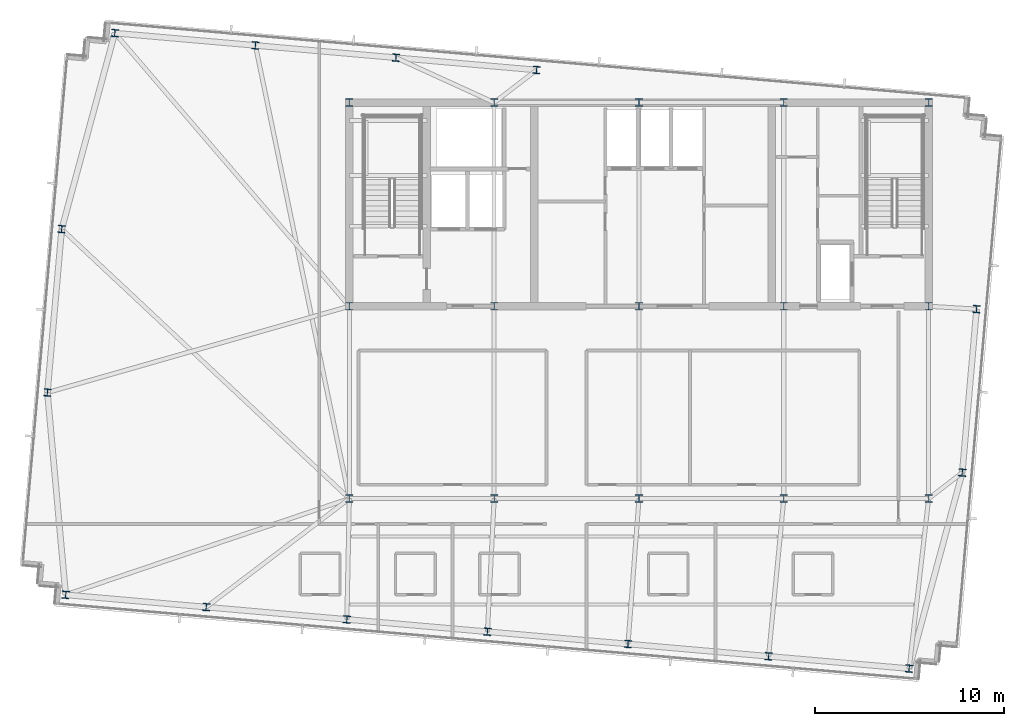
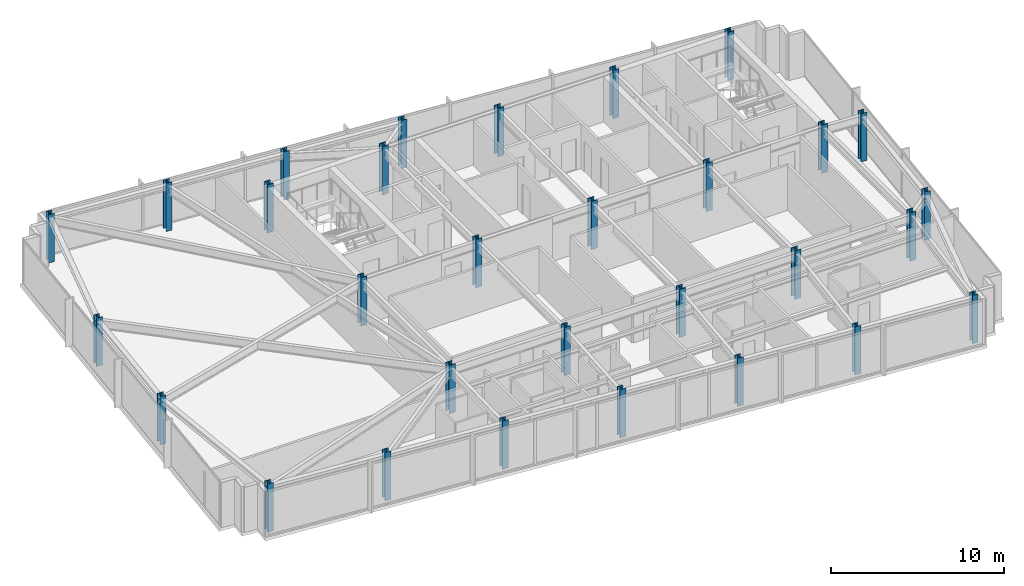
# One storey, part 1 of 33: 30 columns.
"""IFC4 building model written with IfcOpenShell, lengths in metres."""

import ifcopenshell
import ifcopenshell.guid

model = None  # the IFC model being written
_history = None  # IfcOwnerHistory: only IFC2X3 demands one
_inside = {}  # id of a spatial element -> (the spatial element, [elements in it])
_under = {}  # id of a project, library or spatial element -> (it, [spatial elements below it])
_declared = {}  # id of a project -> (the project, [libraries it declares])
_typed = {}  # id of a type object -> (the type object, [elements of that type])
_made_of = {}  # id of a material, layer set ... -> (it, [elements and type objects made of it])


def new_model(schema):
    """Start an empty IFC model of exactly this schema.

    Asked for "IFC4X3", IfcOpenShell would pick the latest addendum, in which some entities
    have other attributes; the version numbers below select the first issue.
    IFC2X3 requires an IfcOwnerHistory on every rooted entity: one is made here for all.
    """
    global model, _history
    if schema == "IFC4X3":
        model = ifcopenshell.file(schema_version=(4, 3, 0, 0))
    else:
        model = ifcopenshell.file(schema=schema)
    _inside.clear()
    _under.clear()
    _declared.clear()
    _typed.clear()
    _made_of.clear()
    _history = None
    if model.schema == "IFC2X3":
        org = make("IfcOrganization", Name="unknown")
        user = make(
            "IfcPersonAndOrganization",
            ThePerson=make("IfcPerson", FamilyName="unknown"),
            TheOrganization=org,
        )
        app = make(
            "IfcApplication",
            ApplicationDeveloper=org,
            Version="unknown",
            ApplicationFullName="unknown",
            ApplicationIdentifier="unknown",
        )
        _history = make(
            "IfcOwnerHistory",
            OwningUser=user,
            OwningApplication=app,
            ChangeAction="ADDED",
            CreationDate=0,
        )
    return model


def make(cls, **values):
    """One entity of the class cls with the attributes given. An attribute that is None is left unset."""
    return model.create_entity(
        cls, **{name: value for name, value in values.items() if value is not None}
    )


def rooted(cls, **values):
    """An entity with a GlobalId (a new one), such as an element, a storey or a relation."""
    return make(cls, GlobalId=ifcopenshell.guid.new(), OwnerHistory=_history, **values)


def si_unit(unit_type, name, prefix=None):
    """IfcSIUnit, for example si_unit("LENGTHUNIT", "METRE", prefix="MILLI")."""
    return make("IfcSIUnit", UnitType=unit_type, Prefix=prefix, Name=name)


def assignment(units):
    """IfcUnitAssignment: the units of a project."""
    return None if units is None else make("IfcUnitAssignment", Units=units)


def point(xyz):
    """IfcCartesianPoint."""
    return None if xyz is None else make("IfcCartesianPoint", Coordinates=xyz)


def direction(xyz):
    """IfcDirection."""
    return None if xyz is None else make("IfcDirection", DirectionRatios=xyz)


def frame(location, z_axis=None, x_axis=None):
    """IfcAxis2Placement3D, a coordinate frame: its origin and axes. An axis left out is left unset."""
    return make(
        "IfcAxis2Placement3D",
        Location=point(location),
        Axis=direction(z_axis),
        RefDirection=direction(x_axis),
    )


def frame_2d(location, x_axis=None):
    """IfcAxis2Placement2D, a coordinate frame in the plane: its origin and x axis."""
    return make(
        "IfcAxis2Placement2D", Location=point(location), RefDirection=direction(x_axis)
    )


def origin():
    """The frame at (0, 0, 0) with its axes left unset."""
    return frame((0.0, 0.0, 0.0))


def origin_2d():
    """The frame at (0, 0) in the plane with its x axis left unset."""
    return frame_2d((0.0, 0.0))


def place(relative_to, where):
    """IfcLocalPlacement: puts the frame where relative to a parent placement (None: the world)."""
    return make(
        "IfcLocalPlacement", PlacementRelTo=relative_to, RelativePlacement=where
    )


def context(
    kind, dimensions, precision=None, world=None, true_north=None, identifier=None
):
    """IfcGeometricRepresentationContext, for example the 3D "Model" context."""
    return make(
        "IfcGeometricRepresentationContext",
        ContextIdentifier=identifier,
        ContextType=kind,
        CoordinateSpaceDimension=dimensions,
        Precision=precision,
        WorldCoordinateSystem=world,
        TrueNorth=true_north,
    )


def subcontext(parent, identifier, kind, view, scale=None):
    """IfcGeometricRepresentationSubContext, for example "Body" below "Model"."""
    return make(
        "IfcGeometricRepresentationSubContext",
        ContextIdentifier=identifier,
        ContextType=kind,
        ParentContext=parent,
        TargetScale=scale,
        TargetView=view,
    )


def project(units=None, contexts=None):
    """IfcProject with its units and contexts."""
    return rooted(
        "IfcProject",
        Name="project",
        RepresentationContexts=contexts,
        UnitsInContext=assignment(units),
    )


def spatial(cls, under=None, at=None, **own):
    """A site, building, storey or space (cls), placed at a placement, below another one or the project."""
    s = rooted(cls, ObjectPlacement=at, **own)
    if under is not None:
        _under.setdefault(under.id(), (under, []))[1].append(s)
    return s


def profile(cls, at=None, kind="AREA", **sizes):
    """A parametric profile (cls). Its sizes go by their IFC names, for example OverallWidth=200.0."""
    return make(cls, ProfileType=kind, Position=at, **sizes)


def i_section(**sizes):
    """IfcIShapeProfileDef."""
    return profile("IfcIShapeProfileDef", **sizes)


def extrude(swept, where, along, depth):
    """IfcExtrudedAreaSolid: the profile swept, set in the frame where, extruded along a direction by depth."""
    return make(
        "IfcExtrudedAreaSolid",
        SweptArea=swept,
        Position=where,
        ExtrudedDirection=direction(along),
        Depth=depth,
    )


def shape(context_of_items, identifier, shape_type, items):
    """IfcShapeRepresentation: the items that make up one representation, for example the "Body"."""
    return make(
        "IfcShapeRepresentation",
        ContextOfItems=context_of_items,
        RepresentationIdentifier=identifier,
        RepresentationType=shape_type,
        Items=items,
    )


def material(Name=None, Category=None):
    """IfcMaterial."""
    return make("IfcMaterial", Name=Name, Category=Category)


def material_profile(
    of_material, cross_section, Name=None, Category=None, Priority=None
):
    """IfcMaterialProfile: a cross section and its material."""
    return make(
        "IfcMaterialProfile",
        Name=Name,
        Material=of_material,
        Profile=cross_section,
        Priority=Priority,
        Category=Category,
    )


def profile_set(profiles, Name=None, composite=None):
    """IfcMaterialProfileSet."""
    return make(
        "IfcMaterialProfileSet",
        Name=Name,
        MaterialProfiles=profiles,
        CompositeProfile=composite,
    )


def made_of(thing, what):
    """Note that an element or type object is made of a material, layer set ...; save() writes the relation."""
    if what is not None:
        _made_of.setdefault(what.id(), (what, []))[1].append(thing)
    return thing


def type_object(cls, material=None, **own):
    """A type object (cls), such as IfcWallType, which elements share."""
    return made_of(rooted(cls, **own), material)


def element(
    cls,
    number,
    at=None,
    inside=None,
    cuts=None,
    type_object=None,
    material=None,
    context=None,
    identifier="Body",
    shape_type=None,
    held_by="IfcProductDefinitionShape",
    body=None,
    shapes=None,
    **own,
):
    """One element of the class cls, such as IfcWall. Its Tag is "e" and its number.

    at: its placement. inside: the storey or other place that contains it. cuts: it is an
    opening in that element (IfcRelVoidsElement). A single representation is given by context,
    identifier, shape_type and body (its items); several are given by shapes. held_by: the class
    of the entity that holds the representations. save() writes the other relations.
    """
    e = rooted(cls, Tag="e%d" % number, ObjectPlacement=at, **own)
    if body is not None:
        shapes = [shape(context, identifier, shape_type, body)]
    if shapes is not None:
        e.Representation = make(held_by, Representations=shapes)
    if inside is not None:
        _inside.setdefault(inside.id(), (inside, []))[1].append(e)
    if cuts is not None:
        rooted(
            "IfcRelVoidsElement", RelatingBuildingElement=cuts, RelatedOpeningElement=e
        )
    if type_object is not None:
        _typed.setdefault(type_object.id(), (type_object, []))[1].append(e)
    return made_of(e, material)


def aggregate(whole, parts):
    """IfcRelAggregates: a whole, such as a stair, and the parts it consists of."""
    return rooted("IfcRelAggregates", RelatingObject=whole, RelatedObjects=parts)


def save(model, path):
    """Write the relations noted so far, then the file.

    IfcRelAggregates (storeys below a building ...), IfcRelContainedInSpatialStructure (elements
    in a storey), IfcRelDefinesByType, IfcRelAssociatesMaterial and IfcRelDeclares: one each for
    every whole, place, type object, material and project.
    """
    for whole, parts in _under.values():
        aggregate(whole, parts)
    for where, things in _inside.values():
        rooted(
            "IfcRelContainedInSpatialStructure",
            RelatedElements=things,
            RelatingStructure=where,
        )
    for kind, things in _typed.values():
        rooted("IfcRelDefinesByType", RelatedObjects=things, RelatingType=kind)
    for what, things in _made_of.values():
        rooted("IfcRelAssociatesMaterial", RelatedObjects=things, RelatingMaterial=what)
    for by, libraries in _declared.values():
        rooted("IfcRelDeclares", RelatingContext=by, RelatedDefinitions=libraries)
    model.write(path)


model = new_model("IFC4")

# Units and contexts
model_context = context("Model", 3, precision=1e-05, world=origin(), true_north=direction((0.0, 1.0)))
body_context = subcontext(model_context, "Body", "Model", "MODEL_VIEW")
ifc_project = project(units=[si_unit("LENGTHUNIT", "METRE"), si_unit("AREAUNIT", "SQUARE_METRE"), si_unit("VOLUMEUNIT", "CUBIC_METRE"), si_unit("PLANEANGLEUNIT", "RADIAN"), si_unit("MASSUNIT", "GRAM", prefix="KILO")], contexts=[model_context])

# Site, building, storey
site_placement = place(None, origin())
site = spatial("IfcSite", under=ifc_project, at=site_placement, CompositionType="ELEMENT")
building_placement = place(site_placement, origin())
building = spatial("IfcBuilding", under=site, at=building_placement, Name="Yelkora Congress Tower", CompositionType="ELEMENT")
storey_placement = place(building_placement, frame((0.0, 0.0, 289.699951171875)))
storey = spatial("IfcBuildingStorey", under=building, at=storey_placement, Name="L81", CompositionType="ELEMENT", Elevation=289.699951171875)

# Columns
ifc_material_1 = material(Name="Steel S355J2", Category="steel")
ifc_material_profile_1 = material_profile(ifc_material_1, i_section(OverallWidth=0.3779296875, OverallDepth=0.386962890625, WebThickness=0.0205078125, FlangeThickness=0.033203125, FilletRadius=0.014892578125, at=origin_2d()), Name="HD 360x262")
ifc_profile_set_1 = profile_set([ifc_material_profile_1], Name="Steel S355J2")
column_type_1 = type_object("IfcColumnType", Name="COL-HD-262-EXT", PredefinedType="COLUMN", material=ifc_profile_set_1)
for number, where, z_axis, x_axis, name in (
    (1, (7.998046875, 20.097900390625, 0.0), (0.0, 0.0, 1.0), (0.996194698092, -0.087155742748, 0.0), "L81 Perimeter Column S01"),
    (2, (15.452880859375, 19.445556640625, 0.0), (0.0, 0.0, 1.0), (0.996194698092, -0.087155742748, 0.0), "L81 Perimeter Column S02"),
    (3, (22.90771484375, 18.793212890625, 0.0), (0.0, 0.0, 1.0), (0.996194698092, -0.087155742748, 0.0), "L81 Perimeter Column S03"),
    (4, (30.362548828125, 18.14111328125, 0.0), (0.0, 0.0, 1.0), (0.996194698092, -0.087155742748, 0.0), "L81 Perimeter Column S04"),
    (5, (37.8173828125, 17.489013671875, 0.0), (0.0, 0.0, 1.0), (0.996194698092, -0.087155742748, 0.0), "L81 Perimeter Column S05"),
    (6, (45.2724609375, 16.836669921875, 0.0), (0.0, 0.0, 1.0), (0.996194698092, -0.087155742748, 0.0), "L81 Perimeter Column S06"),
    (7, (52.727294921875, 16.1845703125, 0.0), (0.0, 0.0, 1.0), (0.996194698092, -0.087155742748, 0.0), "L81 Perimeter Column S07"),
    (8, (10.60400390625, 49.884033203125, 0.0), (0.0, 0.0, 1.0), (0.996194698092, -0.087155742748, 0.0), "L81 Perimeter Column N01"),
    (9, (18.058837890625, 49.231689453125, 0.0), (0.0, 0.0, 1.0), (0.996194698092, -0.087155742748, 0.0), "L81 Perimeter Column N02"),
    (10, (25.513916015625, 48.57958984375, 0.0), (0.0, 0.0, 1.0), (0.996194698092, -0.087155742748, 0.0), "L81 Perimeter Column N03"),
    (11, (32.968505859375, 47.927490234375, 0.0), (0.0, 0.0, 1.0), (0.996194698092, -0.087155742748, 0.0), "L81 Perimeter Column N04"),
    (12, (7.029052734375, 30.822998046875, 0.0), (0.0, 0.0, 1.0), (0.996194698092, -0.087155742748, 0.0), "L81 Perimeter Column W01"),
    (13, (55.543701171875, 26.57861328125, 0.0), (0.0, 0.0, 1.0), (0.996194698092, -0.087155742748, 0.0), "L81 Perimeter Column E01"),
    (14, (7.787353515625, 39.489990234375, 0.0), (0.0, 0.0, 1.0), (0.996194698092, -0.087155742748, 0.0), "L81 Perimeter Column W02"),
    (15, (56.302001953125, 35.24560546875, 0.0), (0.0, 0.0, 1.0), (0.996194698092, -0.087155742748, 0.0), "L81 Perimeter Column E02"),
):
    element("IfcColumn", number, at=place(storey_placement, frame(where, z_axis=z_axis, x_axis=x_axis)), inside=storey, type_object=column_type_1, Name=name, PredefinedType="COLUMN", context=body_context, shape_type="SweptSolid", body=[
        extrude(i_section(OverallWidth=0.3779296875, OverallDepth=0.386962890625, WebThickness=0.0205078125, FlangeThickness=0.033203125, FilletRadius=0.014892578125, at=origin_2d()), origin(), (0.0, 0.0, 1.0), 3.400146484375),
    ])
ifc_material_2 = material(Name="Steel S460M", Category="steel")
ifc_material_profile_2 = material_profile(ifc_material_2, i_section(OverallWidth=0.406005859375, OverallDepth=0.416015625, WebThickness=0.02978515625, FlangeThickness=0.048095703125, FilletRadius=0.014892578125, at=origin_2d()), Name="HD 400x382")
ifc_profile_set_2 = profile_set([ifc_material_profile_2], Name="Steel S460M")
column_type_2 = type_object("IfcColumnType", Name="COL-HD-382", PredefinedType="COLUMN", material=ifc_profile_set_2)
for number, where, z_axis, x_axis, name in (
    (16, (23.0400390625, 35.39990234375, 0.0), (0.0, 0.0, 1.0), (1.0, 0.0, 0.0), "L81 Mega Column MC-S1"),
    (17, (23.0400390625, 46.199951171875, 0.0), (0.0, 0.0, 1.0), (1.0, 0.0, 0.0), "L81 Mega Column MC-N1"),
    (18, (23.0400390625, 25.199951171875, 0.0), (0.0, 0.0, 1.0), (1.0, 0.0, 0.0), "L81 Mega Column MC-D1"),
    (19, (30.719970703125, 35.39990234375, 0.0), (0.0, 0.0, 1.0), (1.0, 0.0, 0.0), "L81 Mega Column MC-S2"),
    (20, (30.719970703125, 46.199951171875, 0.0), (0.0, 0.0, 1.0), (1.0, 0.0, 0.0), "L81 Mega Column MC-N2"),
    (21, (30.719970703125, 25.199951171875, 0.0), (0.0, 0.0, 1.0), (1.0, 0.0, 0.0), "L81 Mega Column MC-D2"),
    (22, (38.39990234375, 35.39990234375, 0.0), (0.0, 0.0, 1.0), (1.0, 0.0, 0.0), "L81 Mega Column MC-S3"),
    (23, (38.39990234375, 46.199951171875, 0.0), (0.0, 0.0, 1.0), (1.0, 0.0, 0.0), "L81 Mega Column MC-N3"),
    (24, (38.39990234375, 25.199951171875, 0.0), (0.0, 0.0, 1.0), (1.0, 0.0, 0.0), "L81 Mega Column MC-D3"),
    (25, (46.080078125, 35.39990234375, 0.0), (0.0, 0.0, 1.0), (1.0, 0.0, 0.0), "L81 Mega Column MC-S4"),
    (26, (46.080078125, 46.199951171875, 0.0), (0.0, 0.0, 1.0), (1.0, 0.0, 0.0), "L81 Mega Column MC-N4"),
    (27, (46.080078125, 25.199951171875, 0.0), (0.0, 0.0, 1.0), (1.0, 0.0, 0.0), "L81 Mega Column MC-D4"),
    (28, (53.760009765625, 35.39990234375, 0.0), (0.0, 0.0, 1.0), (1.0, 0.0, 0.0), "L81 Mega Column MC-S5"),
    (29, (53.760009765625, 46.199951171875, 0.0), (0.0, 0.0, 1.0), (1.0, 0.0, 0.0), "L81 Mega Column MC-N5"),
    (30, (53.760009765625, 25.199951171875, 0.0), (0.0, 0.0, 1.0), (1.0, 0.0, 0.0), "L81 Mega Column MC-D5"),
):
    element("IfcColumn", number, at=place(storey_placement, frame(where, z_axis=z_axis, x_axis=x_axis)), inside=storey, type_object=column_type_2, Name=name, PredefinedType="COLUMN", context=body_context, shape_type="SweptSolid", body=[
        extrude(i_section(OverallWidth=0.406005859375, OverallDepth=0.416015625, WebThickness=0.02978515625, FlangeThickness=0.048095703125, FilletRadius=0.014892578125, at=origin_2d()), origin(), (0.0, 0.0, 1.0), 3.400146484375),
    ])

save(model, "model.ifc")
